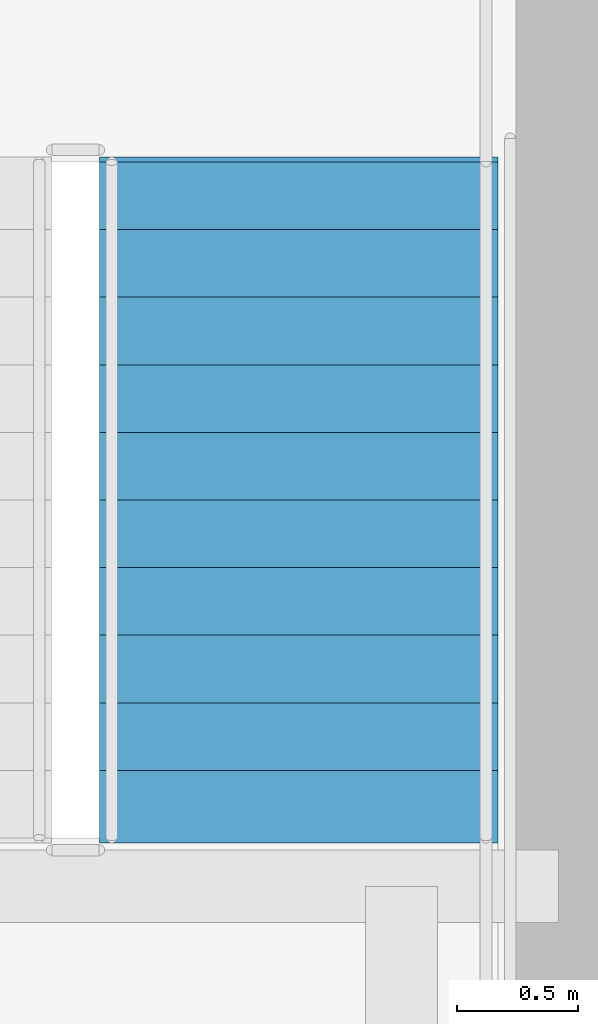
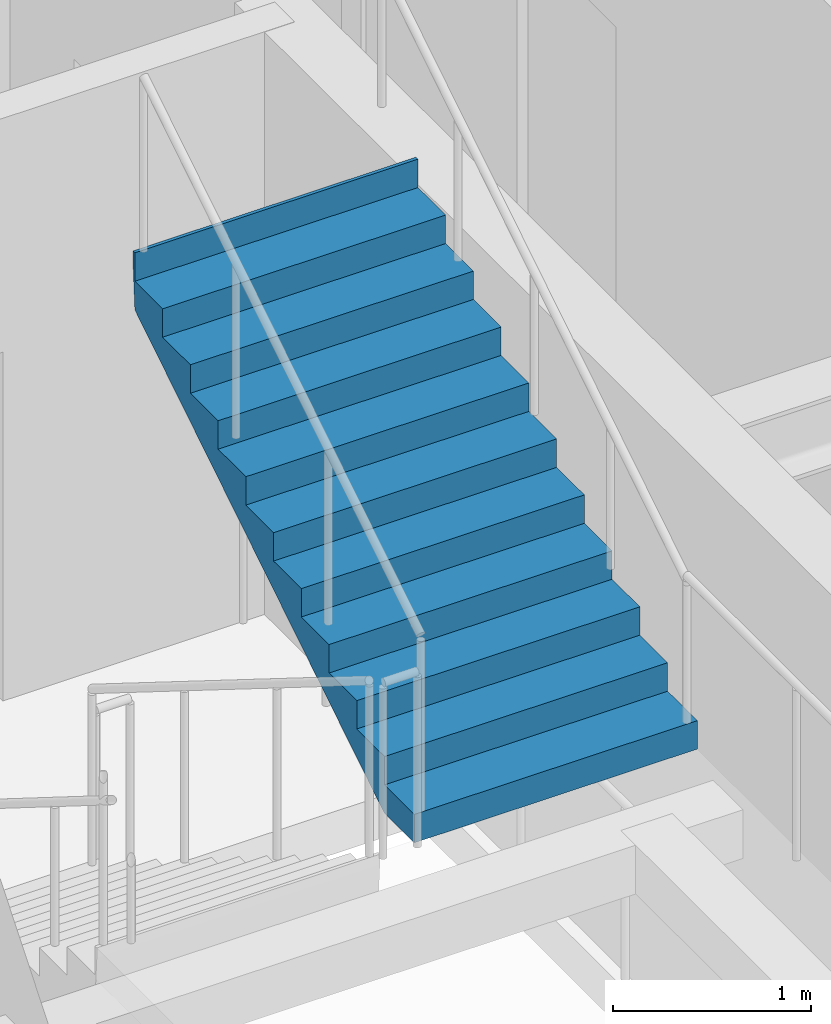
# One storey, part 31 of 36: 1 stair flight, 1 element without a shape of its own.
"""IFC4 building model written with IfcOpenShell, lengths in metres."""

from ifc_helpers import new_model, si_unit, direction, frame, origin, place, context, subcontext, project, spatial, polygons, material, type_object, element, aggregate, save


model = new_model("IFC4")

# Units and contexts
model_context = context("Model", 3, precision=1e-05, world=origin(), true_north=direction((0.0, 1.0)))
body_context = subcontext(model_context, "Body", "Model", "MODEL_VIEW")
ifc_project = project(units=[si_unit("LENGTHUNIT", "METRE"), si_unit("AREAUNIT", "SQUARE_METRE"), si_unit("VOLUMEUNIT", "CUBIC_METRE"), si_unit("PLANEANGLEUNIT", "RADIAN"), si_unit("MASSUNIT", "GRAM", prefix="KILO")], contexts=[model_context])

# Site, building, storey
site_placement = place(None, origin())
site = spatial("IfcSite", under=ifc_project, at=site_placement, CompositionType="ELEMENT")
building_placement = place(site_placement, origin())
building = spatial("IfcBuilding", under=site, at=building_placement, Name="Serunith Strait Residences", CompositionType="ELEMENT")
storey_placement = place(building_placement, frame((0.0, 0.0, 256.64990234375)))
storey = spatial("IfcBuildingStorey", under=building, at=storey_placement, Name="L64", CompositionType="ELEMENT", Elevation=256.64990234375)

# Stair, stair flight
ifc_material = material(Name="Concrete C50/60", Category="concrete")
stair_type = type_object("IfcStairType", Name="STR-CORE-2", PredefinedType="HALF_TURN_STAIR", material=ifc_material)
stair_placement = place(storey_placement, origin())
stair = element("IfcStair", 1, at=stair_placement, inside=storey, type_object=stair_type, Name="L64 Protected Escape Stair ST-2", PredefinedType="HALF_TURN_STAIR")
stair_flight_type = type_object("IfcStairFlightType", Name="FLT-CORE-2", PredefinedType="STRAIGHT", material=ifc_material)
stair_flight_placement = place(storey_placement, frame((40.324951171875, 20.570068359375, 1.925048828125), z_axis=(0.0, 0.0, 1.0), x_axis=(0.0, 1.0, 0.0)))
stair_flight = element("IfcStairFlight", 2, at=stair_flight_placement, type_object=stair_flight_type, Name="ST-2 flight 2", NumberOfRisers=11, NumberOfTreads=10, PredefinedType="STRAIGHT", RiserHeight=0.175, TreadLength=0.28, context=body_context, shape_type="Tessellation", body=[
    polygons([(-0.02001953125, -0.824951171875, 0.0), (-0.02001953125, -0.824951171875, 0.175048828125), (0.280029296875, -0.824951171875, 0.175048828125), (0.280029296875, -0.824951171875, 0.35009765625), (0.56005859375, -0.824951171875, 0.35009765625), (0.56005859375, -0.824951171875, 0.52490234375), (0.840087890625, -0.824951171875, 0.52490234375), (0.840087890625, -0.824951171875, 0.699951171875), (1.1201171875, -0.824951171875, 0.699951171875), (1.1201171875, -0.824951171875, 0.875), (1.39990234375, -0.824951171875, 0.875), (1.39990234375, -0.824951171875, 1.050048828125), (1.679931640625, -0.824951171875, 1.050048828125), (1.679931640625, -0.824951171875, 1.22509765625), (1.9599609375, -0.824951171875, 1.22509765625), (1.9599609375, -0.824951171875, 1.39990234375), (2.239990234375, -0.824951171875, 1.39990234375), (2.239990234375, -0.824951171875, 1.574951171875), (2.52001953125, -0.824951171875, 1.574951171875), (2.52001953125, -0.824951171875, 1.75), (2.800048828125, -0.824951171875, 1.75), (2.800048828125, -0.824951171875, 1.925048828125), (2.820068359375, -0.824951171875, 1.925048828125), (2.820068359375, -0.824951171875, 1.864990234375), (2.800048828125, -0.824951171875, 1.5732421875), (0.28271484375, -0.824951171875, 0.0), (-0.02001953125, -0.41259765625, 0.0), (-0.02001953125, -0.41259765625, 0.175048828125), (0.280029296875, -0.41259765625, 0.175048828125), (0.280029296875, -0.41259765625, 0.35009765625), (0.56005859375, -0.41259765625, 0.35009765625), (0.56005859375, -0.41259765625, 0.52490234375), (0.840087890625, -0.41259765625, 0.52490234375), (0.840087890625, -0.41259765625, 0.699951171875), (1.1201171875, -0.41259765625, 0.699951171875), (1.1201171875, -0.41259765625, 0.875), (1.39990234375, -0.41259765625, 0.875), (1.39990234375, -0.41259765625, 1.050048828125), (1.679931640625, -0.41259765625, 1.050048828125), (1.679931640625, -0.41259765625, 1.22509765625), (1.9599609375, -0.41259765625, 1.22509765625), (1.9599609375, -0.41259765625, 1.39990234375), (2.239990234375, -0.41259765625, 1.39990234375), (2.239990234375, -0.41259765625, 1.574951171875), (2.52001953125, -0.41259765625, 1.574951171875), (2.52001953125, -0.41259765625, 1.75), (2.800048828125, -0.41259765625, 1.75), (2.800048828125, -0.41259765625, 1.925048828125), (2.820068359375, -0.41259765625, 1.925048828125), (2.820068359375, -0.41259765625, 1.864990234375), (2.800048828125, -0.41259765625, 1.5732421875), (0.28271484375, -0.41259765625, 0.0), (-0.02001953125, 0.0, 0.0), (-0.02001953125, 0.0, 0.175048828125), (0.280029296875, 0.0, 0.175048828125), (0.280029296875, 0.0, 0.35009765625), (0.56005859375, 0.0, 0.35009765625), (0.56005859375, 0.0, 0.52490234375), (0.840087890625, 0.0, 0.52490234375), (0.840087890625, 0.0, 0.699951171875), (1.1201171875, 0.0, 0.699951171875), (1.1201171875, 0.0, 0.875), (1.39990234375, 0.0, 0.875), (1.39990234375, 0.0, 1.050048828125), (1.679931640625, 0.0, 1.050048828125), (1.679931640625, 0.0, 1.22509765625), (1.9599609375, 0.0, 1.22509765625), (1.9599609375, 0.0, 1.39990234375), (2.239990234375, 0.0, 1.39990234375), (2.239990234375, 0.0, 1.574951171875), (2.52001953125, 0.0, 1.574951171875), (2.52001953125, 0.0, 1.75), (2.800048828125, 0.0, 1.75), (2.800048828125, 0.0, 1.925048828125), (2.820068359375, 0.0, 1.925048828125), (2.820068359375, 0.0, 1.864990234375), (2.800048828125, 0.0, 1.5732421875), (0.28271484375, 0.0, 0.0), (-0.02001953125, 0.41259765625, 0.0), (-0.02001953125, 0.41259765625, 0.175048828125), (0.280029296875, 0.41259765625, 0.175048828125), (0.280029296875, 0.41259765625, 0.35009765625), (0.56005859375, 0.41259765625, 0.35009765625), (0.56005859375, 0.41259765625, 0.52490234375), (0.840087890625, 0.41259765625, 0.52490234375), (0.840087890625, 0.41259765625, 0.699951171875), (1.1201171875, 0.41259765625, 0.699951171875), (1.1201171875, 0.41259765625, 0.875), (1.39990234375, 0.41259765625, 0.875), (1.39990234375, 0.41259765625, 1.050048828125), (1.679931640625, 0.41259765625, 1.050048828125), (1.679931640625, 0.41259765625, 1.22509765625), (1.9599609375, 0.41259765625, 1.22509765625), (1.9599609375, 0.41259765625, 1.39990234375), (2.239990234375, 0.41259765625, 1.39990234375), (2.239990234375, 0.41259765625, 1.574951171875), (2.52001953125, 0.41259765625, 1.574951171875), (2.52001953125, 0.41259765625, 1.75), (2.800048828125, 0.41259765625, 1.75), (2.800048828125, 0.41259765625, 1.925048828125), (2.820068359375, 0.41259765625, 1.925048828125), (2.820068359375, 0.41259765625, 1.864990234375), (2.800048828125, 0.41259765625, 1.5732421875), (0.28271484375, 0.41259765625, 0.0), (-0.02001953125, 0.824951171875, 0.0), (-0.02001953125, 0.824951171875, 0.175048828125), (0.280029296875, 0.824951171875, 0.175048828125), (0.280029296875, 0.824951171875, 0.35009765625), (0.56005859375, 0.824951171875, 0.35009765625), (0.56005859375, 0.824951171875, 0.52490234375), (0.840087890625, 0.824951171875, 0.52490234375), (0.840087890625, 0.824951171875, 0.699951171875), (1.1201171875, 0.824951171875, 0.699951171875), (1.1201171875, 0.824951171875, 0.875), (1.39990234375, 0.824951171875, 0.875), (1.39990234375, 0.824951171875, 1.050048828125), (1.679931640625, 0.824951171875, 1.050048828125), (1.679931640625, 0.824951171875, 1.22509765625), (1.9599609375, 0.824951171875, 1.22509765625), (1.9599609375, 0.824951171875, 1.39990234375), (2.239990234375, 0.824951171875, 1.39990234375), (2.239990234375, 0.824951171875, 1.574951171875), (2.52001953125, 0.824951171875, 1.574951171875), (2.52001953125, 0.824951171875, 1.75), (2.800048828125, 0.824951171875, 1.75), (2.800048828125, 0.824951171875, 1.925048828125), (2.820068359375, 0.824951171875, 1.925048828125), (2.820068359375, 0.824951171875, 1.864990234375), (2.800048828125, 0.824951171875, 1.5732421875), (0.28271484375, 0.824951171875, 0.0)], [[[1, 2, 28, 27]], [[2, 3, 29, 28]], [[3, 4, 30, 29]], [[4, 5, 31, 30]], [[5, 6, 32, 31]], [[6, 7, 33, 32]], [[7, 8, 34, 33]], [[8, 9, 35, 34]], [[9, 10, 36, 35]], [[10, 11, 37, 36]], [[11, 12, 38, 37]], [[12, 13, 39, 38]], [[13, 14, 40, 39]], [[14, 15, 41, 40]], [[15, 16, 42, 41]], [[16, 17, 43, 42]], [[17, 18, 44, 43]], [[18, 19, 45, 44]], [[19, 20, 46, 45]], [[20, 21, 47, 46]], [[21, 22, 48, 47]], [[22, 23, 49, 48]], [[23, 24, 50, 49]], [[24, 25, 51, 50]], [[25, 26, 52, 51]], [[26, 1, 27, 52]], [[27, 28, 54, 53]], [[28, 29, 55, 54]], [[29, 30, 56, 55]], [[30, 31, 57, 56]], [[31, 32, 58, 57]], [[32, 33, 59, 58]], [[33, 34, 60, 59]], [[34, 35, 61, 60]], [[35, 36, 62, 61]], [[36, 37, 63, 62]], [[37, 38, 64, 63]], [[38, 39, 65, 64]], [[39, 40, 66, 65]], [[40, 41, 67, 66]], [[41, 42, 68, 67]], [[42, 43, 69, 68]], [[43, 44, 70, 69]], [[44, 45, 71, 70]], [[45, 46, 72, 71]], [[46, 47, 73, 72]], [[47, 48, 74, 73]], [[48, 49, 75, 74]], [[49, 50, 76, 75]], [[50, 51, 77, 76]], [[51, 52, 78, 77]], [[52, 27, 53, 78]], [[53, 54, 80, 79]], [[54, 55, 81, 80]], [[55, 56, 82, 81]], [[56, 57, 83, 82]], [[57, 58, 84, 83]], [[58, 59, 85, 84]], [[59, 60, 86, 85]], [[60, 61, 87, 86]], [[61, 62, 88, 87]], [[62, 63, 89, 88]], [[63, 64, 90, 89]], [[64, 65, 91, 90]], [[65, 66, 92, 91]], [[66, 67, 93, 92]], [[67, 68, 94, 93]], [[68, 69, 95, 94]], [[69, 70, 96, 95]], [[70, 71, 97, 96]], [[71, 72, 98, 97]], [[72, 73, 99, 98]], [[73, 74, 100, 99]], [[74, 75, 101, 100]], [[75, 76, 102, 101]], [[76, 77, 103, 102]], [[77, 78, 104, 103]], [[78, 53, 79, 104]], [[79, 80, 106, 105]], [[80, 81, 107, 106]], [[81, 82, 108, 107]], [[82, 83, 109, 108]], [[83, 84, 110, 109]], [[84, 85, 111, 110]], [[85, 86, 112, 111]], [[86, 87, 113, 112]], [[87, 88, 114, 113]], [[88, 89, 115, 114]], [[89, 90, 116, 115]], [[90, 91, 117, 116]], [[91, 92, 118, 117]], [[92, 93, 119, 118]], [[93, 94, 120, 119]], [[94, 95, 121, 120]], [[95, 96, 122, 121]], [[96, 97, 123, 122]], [[97, 98, 124, 123]], [[98, 99, 125, 124]], [[99, 100, 126, 125]], [[100, 101, 127, 126]], [[101, 102, 128, 127]], [[102, 103, 129, 128]], [[103, 104, 130, 129]], [[104, 79, 105, 130]], [[26, 25, 24, 23, 22, 21, 20, 19, 18, 17, 16, 15, 14, 13, 12, 11, 10, 9, 8, 7, 6, 5, 4, 3, 2, 1]], [[105, 106, 107, 108, 109, 110, 111, 112, 113, 114, 115, 116, 117, 118, 119, 120, 121, 122, 123, 124, 125, 126, 127, 128, 129, 130]]], closed=True),
])
aggregate(stair, [stair_flight])

save(model, "model.ifc")
